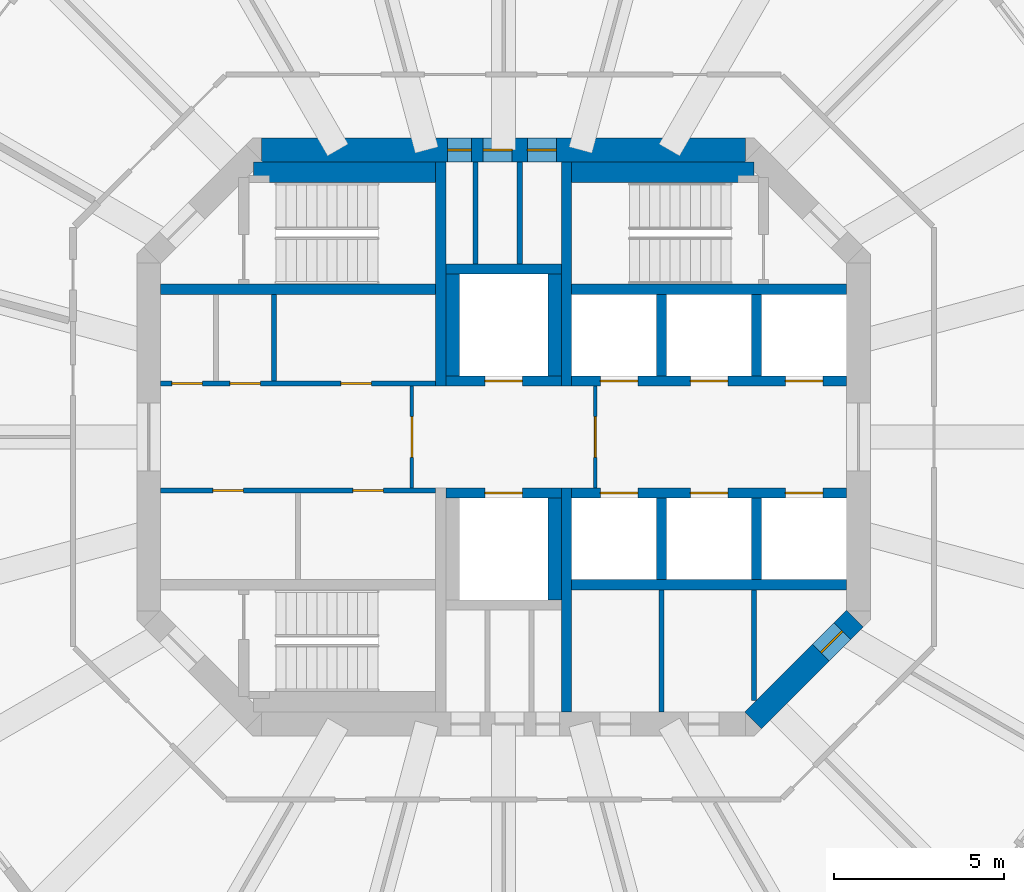
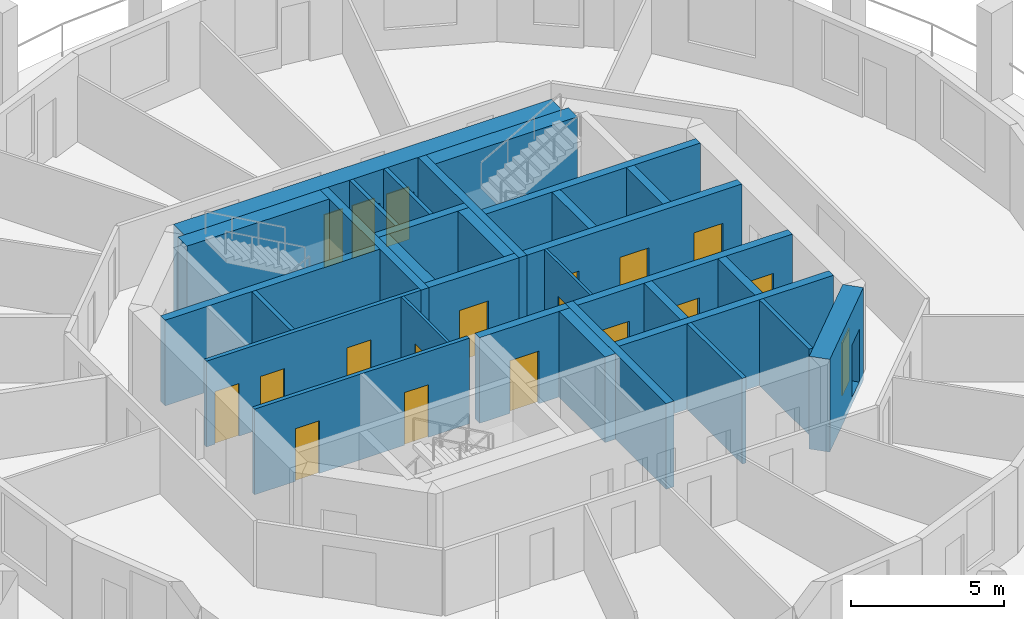
# One storey, part 4 of 8: 31 walls, 19 doors, 19 openings.
"""IFC4 building model written with IfcOpenShell, lengths in metres."""

from ifc_helpers import new_model, si_unit, direction, frame, frame_2d, origin, place, context, subcontext, project, spatial, rectangle, extrude, material, layer, layer_set, type_object, element, fill, save


model = new_model("IFC4")

# Units and contexts
model_context = context("Model", 3, precision=1e-05, world=origin(), true_north=direction((0.0, 1.0)))
body_context = subcontext(model_context, "Body", "Model", "MODEL_VIEW")
ifc_project = project(units=[si_unit("LENGTHUNIT", "METRE"), si_unit("AREAUNIT", "SQUARE_METRE"), si_unit("VOLUMEUNIT", "CUBIC_METRE"), si_unit("PLANEANGLEUNIT", "RADIAN"), si_unit("MASSUNIT", "GRAM", prefix="KILO")], contexts=[model_context])

# Site, building, storey
site_placement = place(None, origin())
site = spatial("IfcSite", under=ifc_project, at=site_placement, CompositionType="ELEMENT")
building_placement = place(site_placement, origin())
building = spatial("IfcBuilding", under=site, at=building_placement, Name="Torre Triforio", CompositionType="ELEMENT")
storey_placement = place(building_placement, frame((0.0, 0.0, 207.60009765625)))
storey = spatial("IfcBuildingStorey", under=building, at=storey_placement, Name="L47", CompositionType="ELEMENT", Elevation=207.60009765625)

# Walls
ifc_material_1 = material(Name="Concrete C50", Category="concrete")
ifc_layer_1 = layer(ifc_material_1, 0.300048828125)
ifc_layer_set_1 = layer_set([ifc_layer_1], Name="Concrete C50")
wall_type_1 = type_object("IfcWallType", Name="Core wall 300 mm C50 EI 120", PredefinedType="SHEAR", material=ifc_layer_set_1)
for number, where, z_axis, x_axis, name in (
    (1, (-1.85009765625, 1.5, 0.0), (0.0, 0.0, 1.0), (0.0, 1.0, 0.0), "Core wall"),
    (2, (1.85009765625, 1.5, 0.0), (0.0, 0.0, 1.0), (0.0, 1.0, 0.0), "Core wall"),
    (3, (1.85009765625, -8.10009765625, 0.0), (0.0, 0.0, 1.0), (0.0, 1.0, 0.0), "Core wall"),
):
    element("IfcWall", number, at=place(storey_placement, frame(where, z_axis=z_axis, x_axis=x_axis)), inside=storey, type_object=wall_type_1, Name=name, PredefinedType="SHEAR", context=body_context, shape_type="SweptSolid", body=[
        extrude(rectangle(XDim=6.60009765625, YDim=0.300048828125, at=frame_2d((3.300048828125, 0.0))), origin(), (0.0, 0.0, 1.0), 3.419921875),
    ])

# Wall, openings, doors
ifc_layer_2 = layer(ifc_material_1, 0.699951171875)
ifc_layer_set_2 = layer_set([ifc_layer_2], Name="Concrete C50")
wall_type_2 = type_object("IfcWallType", Name="Core wall 700 mm C50 EI 120", PredefinedType="SHEAR", material=ifc_layer_set_2)
wall_1_placement = place(storey_placement, frame((-7.1298828125, 8.449951171875, -0.280029296875), z_axis=(0.0, 0.0, 1.0), x_axis=(1.0, 0.0, 0.0)))
wall_1 = element("IfcWall", 4, at=wall_1_placement, inside=storey, type_object=wall_type_2, Name="Core wall", PredefinedType="SHEAR", context=body_context, shape_type="SweptSolid", body=[
    extrude(rectangle(XDim=14.259765625, YDim=0.699951171875, at=frame_2d((7.1298828125, 0.0))), origin(), (0.0, 0.0, 1.0), 3.699951171875),
])
opening_1_placement = place(wall_1_placement, frame((5.47998046875, 0.0, 0.280029296875)))
opening_1 = element("IfcOpeningElement", 5, at=opening_1_placement, cuts=wall_1, Name="Opening RISER-N", PredefinedType="OPENING", context=body_context, shape_type="SweptSolid", body=[
    extrude(rectangle(XDim=0.699951171875, YDim=2.10009765625, at=frame_2d((0.35009765625, 1.050048828125))), frame((0.0, 0.35986328125, 0.0), z_axis=(0.0, -1.0, 0.0), x_axis=(1.0, 0.0, 0.0)), (0.0, 0.0, 1.0), 0.719970703125),
])
opening_2_placement = place(wall_1_placement, frame((6.530029296875, 0.0, 0.280029296875)))
opening_2 = element("IfcOpeningElement", 6, at=opening_2_placement, cuts=wall_1, Name="Opening NE-01A", PredefinedType="OPENING", context=body_context, shape_type="SweptSolid", body=[
    extrude(rectangle(XDim=0.85009765625, YDim=2.10009765625, at=frame_2d((0.425048828125, 1.050048828125))), frame((0.0, 0.35986328125, 0.0), z_axis=(0.0, -1.0, 0.0), x_axis=(1.0, 0.0, 0.0)), (0.0, 0.0, 1.0), 0.719970703125),
])
opening_3_placement = place(wall_1_placement, frame((7.830078125, 0.0, 0.280029296875)))
opening_3 = element("IfcOpeningElement", 7, at=opening_3_placement, cuts=wall_1, Name="Opening NE-02", PredefinedType="OPENING", context=body_context, shape_type="SweptSolid", body=[
    extrude(rectangle(XDim=0.85009765625, YDim=2.10009765625, at=frame_2d((0.425048828125, 1.050048828125))), frame((0.0, 0.35986328125, 0.0), z_axis=(0.0, -1.0, 0.0), x_axis=(1.0, 0.0, 0.0)), (0.0, 0.0, 1.0), 0.719970703125),
])
ifc_material_2 = material(Name="Hollow metal fire door leaf")
door_type_1 = type_object("IfcDoorType", Name="Plant room door 850 x 2100 EI 60", OperationType="NOTDEFINED", PredefinedType="DOOR", material=ifc_material_2)
door_1_placement = place(opening_3_placement, origin())
door_1 = element("IfcDoor", 8, at=door_1_placement, inside=storey, type_object=door_type_1, Name="Core door NE-02", OperationType="SINGLE_SWING_RIGHT", OverallHeight=2.10009765625, OverallWidth=0.85009765625, PredefinedType="DOOR", context=body_context, shape_type="SweptSolid", body=[
    extrude(rectangle(XDim=0.85009765625, YDim=2.10009765625, at=frame_2d((0.425048828125, 1.050048828125))), frame((0.0, 0.02490234375, 0.0), z_axis=(0.0, -1.0, 0.0), x_axis=(1.0, 0.0, 0.0)), (0.0, 0.0, 1.0), 0.050048828125),
])
fill(opening_3, door_1)
door_type_2 = type_object("IfcDoorType", Name="Riser door 700 x 2100 EI 60", OperationType="NOTDEFINED", PredefinedType="DOOR", material=ifc_material_2)
door_2_placement = place(opening_1_placement, origin())
door_2 = element("IfcDoor", 9, at=door_2_placement, inside=storey, type_object=door_type_2, Name="Core door RISER-N", OperationType="SINGLE_SWING_LEFT", OverallHeight=2.10009765625, OverallWidth=0.699951171875, PredefinedType="DOOR", context=body_context, shape_type="SweptSolid", body=[
    extrude(rectangle(XDim=0.699951171875, YDim=2.10009765625, at=frame_2d((0.35009765625, 1.050048828125))), frame((0.0, 0.02490234375, 0.0), z_axis=(0.0, -1.0, 0.0), x_axis=(1.0, 0.0, 0.0)), (0.0, 0.0, 1.0), 0.050048828125),
])
fill(opening_1, door_2)
door_type_3 = type_object("IfcDoorType", Name="Room door 850 x 2100 EI 60", OperationType="NOTDEFINED", PredefinedType="DOOR", material=ifc_material_2)
door_3_placement = place(opening_2_placement, origin())
door_3 = element("IfcDoor", 10, at=door_3_placement, inside=storey, type_object=door_type_3, Name="Core door NE-01", OperationType="SINGLE_SWING_LEFT", OverallHeight=2.10009765625, OverallWidth=0.85009765625, PredefinedType="DOOR", context=body_context, shape_type="SweptSolid", body=[
    extrude(rectangle(XDim=0.85009765625, YDim=2.10009765625, at=frame_2d((0.425048828125, 1.050048828125))), frame((0.0, 0.02490234375, 0.0), z_axis=(0.0, -1.0, 0.0), x_axis=(1.0, 0.0, 0.0)), (0.0, 0.0, 1.0), 0.050048828125),
])
fill(opening_2, door_3)

# Wall, opening, door
wall_2_placement = place(storey_placement, frame((10.347412109375, -5.347412109375, -0.280029296875), z_axis=(0.0, 0.0, 1.0), x_axis=(-0.707106781187, -0.707106781187, 0.0)))
wall_2 = element("IfcWall", 11, at=wall_2_placement, inside=storey, type_object=wall_type_2, Name="Core wall", PredefinedType="SHEAR", context=body_context, shape_type="SweptSolid", body=[
    extrude(rectangle(XDim=4.24267578125, YDim=0.699951171875, at=frame_2d((2.121337890625, 0.0))), origin(), (0.0, 0.0, 1.0), 3.699951171875),
])
opening_4_placement = place(wall_2_placement, frame((0.52001953125, 0.0, 0.280029296875)))
opening_4 = element("IfcOpeningElement", 12, at=opening_4_placement, cuts=wall_2, Name="Opening SE-03", PredefinedType="OPENING", context=body_context, shape_type="SweptSolid", body=[
    extrude(rectangle(XDim=0.89990234375, YDim=2.10009765625, at=frame_2d((0.449951171875, 1.050048828125))), frame((0.0, 0.35986328125, 0.0), z_axis=(0.0, -1.0, 0.0), x_axis=(1.0, 0.0, 0.0)), (0.0, 0.0, 1.0), 0.719970703125),
])
door_type_4 = type_object("IfcDoorType", Name="Room door 900 x 2100 EI 60", OperationType="NOTDEFINED", PredefinedType="DOOR", material=ifc_material_2)
door_4_placement = place(opening_4_placement, origin())
door_4 = element("IfcDoor", 13, at=door_4_placement, inside=storey, type_object=door_type_4, Name="Core door SE-03", OperationType="SINGLE_SWING_RIGHT", OverallHeight=2.10009765625, OverallWidth=0.89990234375, PredefinedType="DOOR", context=body_context, shape_type="SweptSolid", body=[
    extrude(rectangle(XDim=0.89990234375, YDim=2.10009765625, at=frame_2d((0.449951171875, 1.050048828125))), frame((0.0, 0.02490234375, 0.0), z_axis=(0.0, -1.0, 0.0), x_axis=(1.0, 0.0, 0.0)), (0.0, 0.0, 1.0), 0.050048828125),
])
fill(opening_4, door_4)

ifc_material_3 = material(Name="Block and board partition")
ifc_layer_3 = layer(ifc_material_3, 0.10009765625)
ifc_layer_set_3 = layer_set([ifc_layer_3], Name="Block and board partition")
wall_type_3 = type_object("IfcWallType", Name="Partition 100 mm EI 120", PredefinedType="PARTITIONING", material=ifc_layer_set_3)
wall_3_placement = place(storey_placement, frame((-2.699951171875, -1.5, 0.0), z_axis=(0.0, 0.0, 1.0), x_axis=(0.0, 1.0, 0.0)))
wall_3 = element("IfcWall", 14, at=wall_3_placement, inside=storey, type_object=wall_type_3, Name="Partition", PredefinedType="PARTITIONING", context=body_context, shape_type="SweptSolid", body=[
    extrude(rectangle(XDim=3.0, YDim=0.10009765625, at=frame_2d((1.5, 0.0))), origin(), (0.0, 0.0, 1.0), 3.419921875),
])
opening_5_placement = place(wall_3_placement, frame((0.89990234375, 0.0, 0.0)))
opening_5 = element("IfcOpeningElement", 15, at=opening_5_placement, cuts=wall_3, Name="Opening FF-W", PredefinedType="OPENING", context=body_context, shape_type="SweptSolid", body=[
    extrude(rectangle(XDim=1.199951171875, YDim=2.10009765625, at=frame_2d((0.60009765625, 1.050048828125))), frame((0.0, 0.06005859375, 0.0), z_axis=(0.0, -1.0, 0.0), x_axis=(1.0, 0.0, 0.0)), (0.0, 0.0, 1.0), 0.1201171875),
])
door_type_5 = type_object("IfcDoorType", Name="Fire-fighting lobby door 1200 x 2100 EI 60", OperationType="NOTDEFINED", PredefinedType="DOOR", material=ifc_material_2)
door_5_placement = place(opening_5_placement, origin())
door_5 = element("IfcDoor", 16, at=door_5_placement, inside=storey, type_object=door_type_5, Name="Core door FF-W", OperationType="SINGLE_SWING_RIGHT", OverallHeight=2.10009765625, OverallWidth=1.199951171875, PredefinedType="DOOR", context=body_context, shape_type="SweptSolid", body=[
    extrude(rectangle(XDim=1.199951171875, YDim=2.10009765625, at=frame_2d((0.60009765625, 1.050048828125))), frame((0.0, 0.02490234375, 0.0), z_axis=(0.0, -1.0, 0.0), x_axis=(1.0, 0.0, 0.0)), (0.0, 0.0, 1.0), 0.050048828125),
])
fill(opening_5, door_5)

wall_4_placement = place(storey_placement, frame((2.699951171875, -1.5, 0.0), z_axis=(0.0, 0.0, 1.0), x_axis=(0.0, 1.0, 0.0)))
wall_4 = element("IfcWall", 17, at=wall_4_placement, inside=storey, type_object=wall_type_3, Name="Partition", PredefinedType="PARTITIONING", context=body_context, shape_type="SweptSolid", body=[
    extrude(rectangle(XDim=3.0, YDim=0.10009765625, at=frame_2d((1.5, 0.0))), origin(), (0.0, 0.0, 1.0), 3.419921875),
])
opening_6_placement = place(wall_4_placement, frame((0.89990234375, 0.0, 0.0)))
opening_6 = element("IfcOpeningElement", 18, at=opening_6_placement, cuts=wall_4, Name="Opening FF-E", PredefinedType="OPENING", context=body_context, shape_type="SweptSolid", body=[
    extrude(rectangle(XDim=1.199951171875, YDim=2.10009765625, at=frame_2d((0.60009765625, 1.050048828125))), frame((0.0, 0.06005859375, 0.0), z_axis=(0.0, -1.0, 0.0), x_axis=(1.0, 0.0, 0.0)), (0.0, 0.0, 1.0), 0.1201171875),
])
door_6_placement = place(opening_6_placement, origin())
door_6 = element("IfcDoor", 19, at=door_6_placement, inside=storey, type_object=door_type_5, Name="Core door FF-E", OperationType="SINGLE_SWING_RIGHT", OverallHeight=2.10009765625, OverallWidth=1.199951171875, PredefinedType="DOOR", context=body_context, shape_type="SweptSolid", body=[
    extrude(rectangle(XDim=1.199951171875, YDim=2.10009765625, at=frame_2d((0.60009765625, 1.050048828125))), frame((0.0, 0.02490234375, 0.0), z_axis=(0.0, -1.0, 0.0), x_axis=(1.0, 0.0, 0.0)), (0.0, 0.0, 1.0), 0.050048828125),
])
fill(opening_6, door_6)

# Walls
ifc_layer_4 = layer(ifc_material_3, 0.14990234375)
ifc_layer_set_4 = layer_set([ifc_layer_4], Name="Block and board partition")
wall_type_4 = type_object("IfcWallType", Name="Partition 150 mm", PredefinedType="PARTITIONING", material=ifc_layer_set_4)
wall_5_placement = place(storey_placement, frame((0.47509765625, 5.10009765625, 0.0), z_axis=(0.0, 0.0, 1.0), x_axis=(0.0, 1.0, 0.0)))
element("IfcWall", 20, at=wall_5_placement, inside=storey, type_object=wall_type_4, Name="Partition", PredefinedType="PARTITIONING", context=body_context, shape_type="SweptSolid", body=[
    extrude(rectangle(XDim=3.0, YDim=0.14990234375, at=frame_2d((1.5, 0.0))), origin(), (0.0, 0.0, 1.0), 3.419921875),
])
wall_6_placement = place(storey_placement, frame((4.64892578125, -8.10009765625, 0.0), z_axis=(0.0, 0.0, 1.0), x_axis=(0.0, 1.0, 0.0)))
element("IfcWall", 21, at=wall_6_placement, inside=storey, type_object=wall_type_4, Name="Partition", PredefinedType="PARTITIONING", context=body_context, shape_type="SweptSolid", body=[
    extrude(rectangle(XDim=3.60009765625, YDim=0.14990234375, at=frame_2d((1.800048828125, 0.0))), origin(), (0.0, 0.0, 1.0), 3.419921875),
])
wall_7_placement = place(storey_placement, frame((7.373046875, -7.751953125, 0.0), z_axis=(0.0, 0.0, 1.0), x_axis=(0.0, 1.0, 0.0)))
element("IfcWall", 22, at=wall_7_placement, inside=storey, type_object=wall_type_4, Name="Partition", PredefinedType="PARTITIONING", context=body_context, shape_type="SweptSolid", body=[
    extrude(rectangle(XDim=3.251953125, YDim=0.14990234375, at=frame_2d((1.6259765625, 0.0))), origin(), (0.0, 0.0, 1.0), 3.419921875),
])
wall_8_placement = place(storey_placement, frame((-6.7548828125, 1.64990234375, 0.0), z_axis=(0.0, 0.0, 1.0), x_axis=(0.0, 1.0, 0.0)))
element("IfcWall", 23, at=wall_8_placement, inside=storey, type_object=wall_type_4, Name="Partition", PredefinedType="PARTITIONING", context=body_context, shape_type="SweptSolid", body=[
    extrude(rectangle(XDim=2.550048828125, YDim=0.14990234375, at=frame_2d((1.27490234375, 0.0))), origin(), (0.0, 0.0, 1.0), 3.419921875),
])
ifc_layer_5 = layer(ifc_material_3, 0.14990234375)
ifc_layer_set_5 = layer_set([ifc_layer_5], Name="Block and board partition")
wall_type_5 = type_object("IfcWallType", Name="Partition 150 mm EI 120", PredefinedType="PARTITIONING", material=ifc_layer_set_5)
wall_9_placement = place(storey_placement, frame((-0.824951171875, 5.10009765625, 0.0), z_axis=(0.0, 0.0, 1.0), x_axis=(0.0, 1.0, 0.0)))
element("IfcWall", 24, at=wall_9_placement, inside=storey, type_object=wall_type_5, Name="Partition", PredefinedType="PARTITIONING", context=body_context, shape_type="SweptSolid", body=[
    extrude(rectangle(XDim=3.0, YDim=0.14990234375, at=frame_2d((1.5, 0.0))), origin(), (0.0, 0.0, 1.0), 3.419921875),
])

# Wall, openings, doors
wall_10_placement = place(storey_placement, frame((-10.10009765625, 1.574951171875, 0.0), z_axis=(0.0, 0.0, 1.0), x_axis=(1.0, 0.0, 0.0)))
wall_10 = element("IfcWall", 25, at=wall_10_placement, inside=storey, type_object=wall_type_5, Name="Partition", PredefinedType="PARTITIONING", context=body_context, shape_type="SweptSolid", body=[
    extrude(rectangle(XDim=8.10009765625, YDim=0.14990234375, at=frame_2d((4.050048828125, 0.0))), origin(), (0.0, 0.0, 1.0), 3.419921875),
])
opening_7_placement = place(wall_10_placement, frame((0.330078125, 0.0, 0.0)))
opening_7 = element("IfcOpeningElement", 26, at=opening_7_placement, cuts=wall_10, Name="Opening FN-01", PredefinedType="OPENING", context=body_context, shape_type="SweptSolid", body=[
    extrude(rectangle(XDim=0.89990234375, YDim=2.10009765625, at=frame_2d((0.449951171875, 1.050048828125))), frame((0.0, 0.0849609375, 0.0), z_axis=(0.0, -1.0, 0.0), x_axis=(1.0, 0.0, 0.0)), (0.0, 0.0, 1.0), 0.169921875),
])
opening_8_placement = place(wall_10_placement, frame((2.0400390625, 0.0, 0.0)))
opening_8 = element("IfcOpeningElement", 27, at=opening_8_placement, cuts=wall_10, Name="Opening FN-02", PredefinedType="OPENING", context=body_context, shape_type="SweptSolid", body=[
    extrude(rectangle(XDim=0.89990234375, YDim=2.10009765625, at=frame_2d((0.449951171875, 1.050048828125))), frame((0.0, 0.0849609375, 0.0), z_axis=(0.0, -1.0, 0.0), x_axis=(1.0, 0.0, 0.0)), (0.0, 0.0, 1.0), 0.169921875),
])
opening_9_placement = place(wall_10_placement, frame((5.31005859375, 0.0, 0.0)))
opening_9 = element("IfcOpeningElement", 28, at=opening_9_placement, cuts=wall_10, Name="Opening FN-03", PredefinedType="OPENING", context=body_context, shape_type="SweptSolid", body=[
    extrude(rectangle(XDim=0.89990234375, YDim=2.10009765625, at=frame_2d((0.449951171875, 1.050048828125))), frame((0.0, 0.0849609375, 0.0), z_axis=(0.0, -1.0, 0.0), x_axis=(1.0, 0.0, 0.0)), (0.0, 0.0, 1.0), 0.169921875),
])
door_7_placement = place(opening_7_placement, origin())
door_7 = element("IfcDoor", 29, at=door_7_placement, inside=storey, type_object=door_type_4, Name="Core door FN-01", OperationType="SINGLE_SWING_RIGHT", OverallHeight=2.10009765625, OverallWidth=0.89990234375, PredefinedType="DOOR", context=body_context, shape_type="SweptSolid", body=[
    extrude(rectangle(XDim=0.89990234375, YDim=2.10009765625, at=frame_2d((0.449951171875, 1.050048828125))), frame((0.0, 0.02490234375, 0.0), z_axis=(0.0, -1.0, 0.0), x_axis=(1.0, 0.0, 0.0)), (0.0, 0.0, 1.0), 0.050048828125),
])
fill(opening_7, door_7)
door_8_placement = place(opening_8_placement, origin())
door_8 = element("IfcDoor", 30, at=door_8_placement, inside=storey, type_object=door_type_4, Name="Core door FN-02", OperationType="SINGLE_SWING_RIGHT", OverallHeight=2.10009765625, OverallWidth=0.89990234375, PredefinedType="DOOR", context=body_context, shape_type="SweptSolid", body=[
    extrude(rectangle(XDim=0.89990234375, YDim=2.10009765625, at=frame_2d((0.449951171875, 1.050048828125))), frame((0.0, 0.02490234375, 0.0), z_axis=(0.0, -1.0, 0.0), x_axis=(1.0, 0.0, 0.0)), (0.0, 0.0, 1.0), 0.050048828125),
])
fill(opening_8, door_8)
door_9_placement = place(opening_9_placement, origin())
door_9 = element("IfcDoor", 31, at=door_9_placement, inside=storey, type_object=door_type_4, Name="Core door FN-03", OperationType="SINGLE_SWING_RIGHT", OverallHeight=2.10009765625, OverallWidth=0.89990234375, PredefinedType="DOOR", context=body_context, shape_type="SweptSolid", body=[
    extrude(rectangle(XDim=0.89990234375, YDim=2.10009765625, at=frame_2d((0.449951171875, 1.050048828125))), frame((0.0, 0.02490234375, 0.0), z_axis=(0.0, -1.0, 0.0), x_axis=(1.0, 0.0, 0.0)), (0.0, 0.0, 1.0), 0.050048828125),
])
fill(opening_9, door_9)

wall_11_placement = place(storey_placement, frame((-10.10009765625, -1.574951171875, 0.0), z_axis=(0.0, 0.0, 1.0), x_axis=(1.0, 0.0, 0.0)))
wall_11 = element("IfcWall", 32, at=wall_11_placement, inside=storey, type_object=wall_type_5, Name="Partition", PredefinedType="PARTITIONING", context=body_context, shape_type="SweptSolid", body=[
    extrude(rectangle(XDim=8.10009765625, YDim=0.14990234375, at=frame_2d((4.050048828125, 0.0))), origin(), (0.0, 0.0, 1.0), 3.419921875),
])
opening_10_placement = place(wall_11_placement, frame((1.53759765625, 0.0, 0.0)))
opening_10 = element("IfcOpeningElement", 33, at=opening_10_placement, cuts=wall_11, Name="Opening FS-01", PredefinedType="OPENING", context=body_context, shape_type="SweptSolid", body=[
    extrude(rectangle(XDim=0.89990234375, YDim=2.10009765625, at=frame_2d((0.449951171875, 1.050048828125))), frame((0.0, 0.0849609375, 0.0), z_axis=(0.0, -1.0, 0.0), x_axis=(1.0, 0.0, 0.0)), (0.0, 0.0, 1.0), 0.169921875),
])
opening_11_placement = place(wall_11_placement, frame((5.66259765625, 0.0, 0.0)))
opening_11 = element("IfcOpeningElement", 34, at=opening_11_placement, cuts=wall_11, Name="Opening FS-02", PredefinedType="OPENING", context=body_context, shape_type="SweptSolid", body=[
    extrude(rectangle(XDim=0.89990234375, YDim=2.10009765625, at=frame_2d((0.449951171875, 1.050048828125))), frame((0.0, 0.0849609375, 0.0), z_axis=(0.0, -1.0, 0.0), x_axis=(1.0, 0.0, 0.0)), (0.0, 0.0, 1.0), 0.169921875),
])
door_10_placement = place(opening_10_placement, origin())
door_10 = element("IfcDoor", 35, at=door_10_placement, inside=storey, type_object=door_type_4, Name="Core door FS-01", OperationType="SINGLE_SWING_LEFT", OverallHeight=2.10009765625, OverallWidth=0.89990234375, PredefinedType="DOOR", context=body_context, shape_type="SweptSolid", body=[
    extrude(rectangle(XDim=0.89990234375, YDim=2.10009765625, at=frame_2d((0.449951171875, 1.050048828125))), frame((0.0, 0.02490234375, 0.0), z_axis=(0.0, -1.0, 0.0), x_axis=(1.0, 0.0, 0.0)), (0.0, 0.0, 1.0), 0.050048828125),
])
fill(opening_10, door_10)
door_11_placement = place(opening_11_placement, origin())
door_11 = element("IfcDoor", 36, at=door_11_placement, inside=storey, type_object=door_type_4, Name="Core door FS-02", OperationType="SINGLE_SWING_LEFT", OverallHeight=2.10009765625, OverallWidth=0.89990234375, PredefinedType="DOOR", context=body_context, shape_type="SweptSolid", body=[
    extrude(rectangle(XDim=0.89990234375, YDim=2.10009765625, at=frame_2d((0.449951171875, 1.050048828125))), frame((0.0, 0.02490234375, 0.0), z_axis=(0.0, -1.0, 0.0), x_axis=(1.0, 0.0, 0.0)), (0.0, 0.0, 1.0), 0.050048828125),
])
fill(opening_11, door_11)

# Walls
ifc_layer_6 = layer(ifc_material_1, 0.300048828125)
ifc_layer_set_6 = layer_set([ifc_layer_6], Name="Concrete C50")
wall_type_6 = type_object("IfcWallType", Name="Shaft wall 300 mm C50 EI 120", PredefinedType="SOLIDWALL", material=ifc_layer_set_6)
for number, where, z_axis, x_axis, name in (
    (37, (-10.10009765625, 4.35009765625, 0.0), (0.0, 0.0, 1.0), (1.0, 0.0, 0.0), "Shaft wall"),
    (38, (2.0, 4.35009765625, 0.0), (0.0, 0.0, 1.0), (1.0, 0.0, 0.0), "Shaft wall"),
    (39, (2.0, -4.35009765625, 0.0), (0.0, 0.0, 1.0), (1.0, 0.0, 0.0), "Shaft wall"),
):
    element("IfcWall", number, at=place(storey_placement, frame(where, z_axis=z_axis, x_axis=x_axis)), inside=storey, type_object=wall_type_6, Name=name, PredefinedType="SOLIDWALL", context=body_context, shape_type="SweptSolid", body=[
        extrude(rectangle(XDim=8.10009765625, YDim=0.300048828125, at=frame_2d((4.050048828125, 0.0))), origin(), (0.0, 0.0, 1.0), 3.419921875),
    ])

# Wall, openings, doors
wall_12_placement = place(storey_placement, frame((2.0, 1.64990234375, 0.0), z_axis=(0.0, 0.0, 1.0), x_axis=(1.0, 0.0, 0.0)))
wall_12 = element("IfcWall", 40, at=wall_12_placement, inside=storey, type_object=wall_type_6, Name="Shaft wall", PredefinedType="SOLIDWALL", context=body_context, shape_type="SweptSolid", body=[
    extrude(rectangle(XDim=8.10009765625, YDim=0.300048828125, at=frame_2d((4.050048828125, 0.0))), origin(), (0.0, 0.0, 1.0), 3.419921875),
])
opening_12_placement = place(wall_12_placement, frame((0.85009765625, 0.0, 0.0)))
opening_12 = element("IfcOpeningElement", 41, at=opening_12_placement, cuts=wall_12, Name="Opening LD", PredefinedType="OPENING", context=body_context, shape_type="SweptSolid", body=[
    extrude(rectangle(XDim=1.10009765625, YDim=2.10009765625, at=frame_2d((0.550048828125, 1.050048828125))), frame((0.0, 0.159912109375, 0.0), z_axis=(0.0, -1.0, 0.0), x_axis=(1.0, 0.0, 0.0)), (0.0, 0.0, 1.0), 0.320068359375),
])
opening_13_placement = place(wall_12_placement, frame((3.5, 0.0, 0.0)))
opening_13 = element("IfcOpeningElement", 42, at=opening_13_placement, cuts=wall_12, Name="Opening LD", PredefinedType="OPENING", context=body_context, shape_type="SweptSolid", body=[
    extrude(rectangle(XDim=1.10009765625, YDim=2.10009765625, at=frame_2d((0.550048828125, 1.050048828125))), frame((0.0, 0.159912109375, 0.0), z_axis=(0.0, -1.0, 0.0), x_axis=(1.0, 0.0, 0.0)), (0.0, 0.0, 1.0), 0.320068359375),
])
opening_14_placement = place(wall_12_placement, frame((6.300048828125, 0.0, 0.0)))
opening_14 = element("IfcOpeningElement", 43, at=opening_14_placement, cuts=wall_12, Name="Opening LD", PredefinedType="OPENING", context=body_context, shape_type="SweptSolid", body=[
    extrude(rectangle(XDim=1.10009765625, YDim=2.10009765625, at=frame_2d((0.550048828125, 1.050048828125))), frame((0.0, 0.159912109375, 0.0), z_axis=(0.0, -1.0, 0.0), x_axis=(1.0, 0.0, 0.0)), (0.0, 0.0, 1.0), 0.320068359375),
])
door_type_6 = type_object("IfcDoorType", Name="Landing door 1100 x 2100 EI 60", OperationType="DOUBLE_DOOR_SLIDING", PredefinedType="DOOR", material=ifc_material_2)
door_12_placement = place(opening_12_placement, origin())
door_12 = element("IfcDoor", 44, at=door_12_placement, inside=storey, type_object=door_type_6, Name="Landing door HR1", OperationType="DOUBLE_DOOR_SLIDING", OverallHeight=2.10009765625, OverallWidth=1.10009765625, PredefinedType="DOOR", context=body_context, shape_type="SweptSolid", body=[
    extrude(rectangle(XDim=1.10009765625, YDim=2.10009765625, at=frame_2d((0.550048828125, 1.050048828125))), frame((0.0, 0.02490234375, 0.0), z_axis=(0.0, -1.0, 0.0), x_axis=(1.0, 0.0, 0.0)), (0.0, 0.0, 1.0), 0.050048828125),
])
fill(opening_12, door_12)
door_13_placement = place(opening_13_placement, origin())
door_13 = element("IfcDoor", 45, at=door_13_placement, inside=storey, type_object=door_type_6, Name="Landing door HR2", OperationType="DOUBLE_DOOR_SLIDING", OverallHeight=2.10009765625, OverallWidth=1.10009765625, PredefinedType="DOOR", context=body_context, shape_type="SweptSolid", body=[
    extrude(rectangle(XDim=1.10009765625, YDim=2.10009765625, at=frame_2d((0.550048828125, 1.050048828125))), frame((0.0, 0.02490234375, 0.0), z_axis=(0.0, -1.0, 0.0), x_axis=(1.0, 0.0, 0.0)), (0.0, 0.0, 1.0), 0.050048828125),
])
fill(opening_13, door_13)
door_14_placement = place(opening_14_placement, origin())
door_14 = element("IfcDoor", 46, at=door_14_placement, inside=storey, type_object=door_type_6, Name="Landing door HR3", OperationType="DOUBLE_DOOR_SLIDING", OverallHeight=2.10009765625, OverallWidth=1.10009765625, PredefinedType="DOOR", context=body_context, shape_type="SweptSolid", body=[
    extrude(rectangle(XDim=1.10009765625, YDim=2.10009765625, at=frame_2d((0.550048828125, 1.050048828125))), frame((0.0, 0.02490234375, 0.0), z_axis=(0.0, -1.0, 0.0), x_axis=(1.0, 0.0, 0.0)), (0.0, 0.0, 1.0), 0.050048828125),
])
fill(opening_14, door_14)

wall_13_placement = place(storey_placement, frame((2.0, -1.64990234375, 0.0), z_axis=(0.0, 0.0, 1.0), x_axis=(1.0, 0.0, 0.0)))
wall_13 = element("IfcWall", 47, at=wall_13_placement, inside=storey, type_object=wall_type_6, Name="Shaft wall", PredefinedType="SOLIDWALL", context=body_context, shape_type="SweptSolid", body=[
    extrude(rectangle(XDim=8.10009765625, YDim=0.300048828125, at=frame_2d((4.050048828125, 0.0))), origin(), (0.0, 0.0, 1.0), 3.419921875),
])
opening_15_placement = place(wall_13_placement, frame((0.85009765625, 0.0, 0.0)))
opening_15 = element("IfcOpeningElement", 48, at=opening_15_placement, cuts=wall_13, Name="Opening LD", PredefinedType="OPENING", context=body_context, shape_type="SweptSolid", body=[
    extrude(rectangle(XDim=1.10009765625, YDim=2.10009765625, at=frame_2d((0.550048828125, 1.050048828125))), frame((0.0, 0.159912109375, 0.0), z_axis=(0.0, -1.0, 0.0), x_axis=(1.0, 0.0, 0.0)), (0.0, 0.0, 1.0), 0.320068359375),
])
opening_16_placement = place(wall_13_placement, frame((3.5, 0.0, 0.0)))
opening_16 = element("IfcOpeningElement", 49, at=opening_16_placement, cuts=wall_13, Name="Opening LD", PredefinedType="OPENING", context=body_context, shape_type="SweptSolid", body=[
    extrude(rectangle(XDim=1.10009765625, YDim=2.10009765625, at=frame_2d((0.550048828125, 1.050048828125))), frame((0.0, 0.159912109375, 0.0), z_axis=(0.0, -1.0, 0.0), x_axis=(1.0, 0.0, 0.0)), (0.0, 0.0, 1.0), 0.320068359375),
])
opening_17_placement = place(wall_13_placement, frame((6.300048828125, 0.0, 0.0)))
opening_17 = element("IfcOpeningElement", 50, at=opening_17_placement, cuts=wall_13, Name="Opening LD", PredefinedType="OPENING", context=body_context, shape_type="SweptSolid", body=[
    extrude(rectangle(XDim=1.10009765625, YDim=2.10009765625, at=frame_2d((0.550048828125, 1.050048828125))), frame((0.0, 0.159912109375, 0.0), z_axis=(0.0, -1.0, 0.0), x_axis=(1.0, 0.0, 0.0)), (0.0, 0.0, 1.0), 0.320068359375),
])
door_15_placement = place(opening_15_placement, origin())
door_15 = element("IfcDoor", 51, at=door_15_placement, inside=storey, type_object=door_type_6, Name="Landing door HR4", OperationType="DOUBLE_DOOR_SLIDING", OverallHeight=2.10009765625, OverallWidth=1.10009765625, PredefinedType="DOOR", context=body_context, shape_type="SweptSolid", body=[
    extrude(rectangle(XDim=1.10009765625, YDim=2.10009765625, at=frame_2d((0.550048828125, 1.050048828125))), frame((0.0, 0.02490234375, 0.0), z_axis=(0.0, -1.0, 0.0), x_axis=(1.0, 0.0, 0.0)), (0.0, 0.0, 1.0), 0.050048828125),
])
fill(opening_15, door_15)
door_16_placement = place(opening_16_placement, origin())
door_16 = element("IfcDoor", 52, at=door_16_placement, inside=storey, type_object=door_type_6, Name="Landing door HR5", OperationType="DOUBLE_DOOR_SLIDING", OverallHeight=2.10009765625, OverallWidth=1.10009765625, PredefinedType="DOOR", context=body_context, shape_type="SweptSolid", body=[
    extrude(rectangle(XDim=1.10009765625, YDim=2.10009765625, at=frame_2d((0.550048828125, 1.050048828125))), frame((0.0, 0.02490234375, 0.0), z_axis=(0.0, -1.0, 0.0), x_axis=(1.0, 0.0, 0.0)), (0.0, 0.0, 1.0), 0.050048828125),
])
fill(opening_16, door_16)
door_17_placement = place(opening_17_placement, origin())
door_17 = element("IfcDoor", 53, at=door_17_placement, inside=storey, type_object=door_type_6, Name="Landing door HR6", OperationType="DOUBLE_DOOR_SLIDING", OverallHeight=2.10009765625, OverallWidth=1.10009765625, PredefinedType="DOOR", context=body_context, shape_type="SweptSolid", body=[
    extrude(rectangle(XDim=1.10009765625, YDim=2.10009765625, at=frame_2d((0.550048828125, 1.050048828125))), frame((0.0, 0.02490234375, 0.0), z_axis=(0.0, -1.0, 0.0), x_axis=(1.0, 0.0, 0.0)), (0.0, 0.0, 1.0), 0.050048828125),
])
fill(opening_17, door_17)

# Walls
for number, where, z_axis, x_axis, name in (
    (54, (4.64990234375, 1.800048828125, 0.0), (0.0, 0.0, 1.0), (0.0, 1.0, 0.0), "Shaft wall"),
    (55, (4.64990234375, -4.199951171875, 0.0), (0.0, 0.0, 1.0), (0.0, 1.0, 0.0), "Shaft wall"),
    (56, (7.449951171875, 1.800048828125, 0.0), (0.0, 0.0, 1.0), (0.0, 1.0, 0.0), "Shaft wall"),
    (57, (7.449951171875, -4.199951171875, 0.0), (0.0, 0.0, 1.0), (0.0, 1.0, 0.0), "Shaft wall"),
):
    element("IfcWall", number, at=place(storey_placement, frame(where, z_axis=z_axis, x_axis=x_axis)), inside=storey, type_object=wall_type_6, Name=name, PredefinedType="SOLIDWALL", context=body_context, shape_type="SweptSolid", body=[
        extrude(rectangle(XDim=2.39990234375, YDim=0.300048828125, at=frame_2d((1.199951171875, 0.0))), origin(), (0.0, 0.0, 1.0), 3.419921875),
    ])

# Wall, opening, door
wall_14_placement = place(storey_placement, frame((-1.699951171875, 1.64990234375, 0.0), z_axis=(0.0, 0.0, 1.0), x_axis=(1.0, 0.0, 0.0)))
wall_14 = element("IfcWall", 58, at=wall_14_placement, inside=storey, type_object=wall_type_6, Name="Shaft wall", PredefinedType="SOLIDWALL", context=body_context, shape_type="SweptSolid", body=[
    extrude(rectangle(XDim=3.39990234375, YDim=0.300048828125, at=frame_2d((1.699951171875, 0.0))), origin(), (0.0, 0.0, 1.0), 3.419921875),
])
opening_18_placement = place(wall_14_placement, frame((1.14990234375, 0.0, 0.0)))
opening_18 = element("IfcOpeningElement", 59, at=opening_18_placement, cuts=wall_14, Name="Opening LD", PredefinedType="OPENING", context=body_context, shape_type="SweptSolid", body=[
    extrude(rectangle(XDim=1.10009765625, YDim=2.10009765625, at=frame_2d((0.550048828125, 1.050048828125))), frame((0.0, 0.159912109375, 0.0), z_axis=(0.0, -1.0, 0.0), x_axis=(1.0, 0.0, 0.0)), (0.0, 0.0, 1.0), 0.320068359375),
])
door_18_placement = place(opening_18_placement, origin())
door_18 = element("IfcDoor", 60, at=door_18_placement, inside=storey, type_object=door_type_6, Name="Landing door FFL1", OperationType="DOUBLE_DOOR_SLIDING", OverallHeight=2.10009765625, OverallWidth=1.10009765625, PredefinedType="DOOR", context=body_context, shape_type="SweptSolid", body=[
    extrude(rectangle(XDim=1.10009765625, YDim=2.10009765625, at=frame_2d((0.550048828125, 1.050048828125))), frame((0.0, 0.02490234375, 0.0), z_axis=(0.0, -1.0, 0.0), x_axis=(1.0, 0.0, 0.0)), (0.0, 0.0, 1.0), 0.050048828125),
])
fill(opening_18, door_18)

wall_15_placement = place(storey_placement, frame((-1.699951171875, -1.64990234375, 0.0), z_axis=(0.0, 0.0, 1.0), x_axis=(1.0, 0.0, 0.0)))
wall_15 = element("IfcWall", 61, at=wall_15_placement, inside=storey, type_object=wall_type_6, Name="Shaft wall", PredefinedType="SOLIDWALL", context=body_context, shape_type="SweptSolid", body=[
    extrude(rectangle(XDim=3.39990234375, YDim=0.300048828125, at=frame_2d((1.699951171875, 0.0))), origin(), (0.0, 0.0, 1.0), 3.419921875),
])
opening_19_placement = place(wall_15_placement, frame((1.14990234375, 0.0, 0.0)))
opening_19 = element("IfcOpeningElement", 62, at=opening_19_placement, cuts=wall_15, Name="Opening LD", PredefinedType="OPENING", context=body_context, shape_type="SweptSolid", body=[
    extrude(rectangle(XDim=1.10009765625, YDim=2.10009765625, at=frame_2d((0.550048828125, 1.050048828125))), frame((0.0, 0.159912109375, 0.0), z_axis=(0.0, -1.0, 0.0), x_axis=(1.0, 0.0, 0.0)), (0.0, 0.0, 1.0), 0.320068359375),
])
door_19_placement = place(opening_19_placement, origin())
door_19 = element("IfcDoor", 63, at=door_19_placement, inside=storey, type_object=door_type_6, Name="Landing door FFL2", OperationType="DOUBLE_DOOR_SLIDING", OverallHeight=2.10009765625, OverallWidth=1.10009765625, PredefinedType="DOOR", context=body_context, shape_type="SweptSolid", body=[
    extrude(rectangle(XDim=1.10009765625, YDim=2.10009765625, at=frame_2d((0.550048828125, 1.050048828125))), frame((0.0, 0.02490234375, 0.0), z_axis=(0.0, -1.0, 0.0), x_axis=(1.0, 0.0, 0.0)), (0.0, 0.0, 1.0), 0.050048828125),
])
fill(opening_19, door_19)

# Walls
wall_16_placement = place(storey_placement, frame((-1.699951171875, 4.949951171875, 0.0), z_axis=(0.0, 0.0, 1.0), x_axis=(1.0, 0.0, 0.0)))
element("IfcWall", 64, at=wall_16_placement, inside=storey, type_object=wall_type_6, Name="Shaft wall", PredefinedType="SOLIDWALL", context=body_context, shape_type="SweptSolid", body=[
    extrude(rectangle(XDim=3.39990234375, YDim=0.300048828125, at=frame_2d((1.699951171875, 0.0))), origin(), (0.0, 0.0, 1.0), 3.419921875),
])
ifc_layer_7 = layer(ifc_material_1, 0.39990234375)
ifc_layer_set_7 = layer_set([ifc_layer_7], Name="Concrete C50")
wall_type_7 = type_object("IfcWallType", Name="Shaft wall 400 mm C50 EI 120", PredefinedType="SOLIDWALL", material=ifc_layer_set_7)
for number, where, z_axis, x_axis, name in (
    (65, (-1.5, 1.800048828125, 0.0), (0.0, 0.0, 1.0), (0.0, 1.0, 0.0), "Shaft wall"),
    (66, (1.5, 1.800048828125, 0.0), (0.0, 0.0, 1.0), (0.0, 1.0, 0.0), "Shaft wall"),
    (67, (1.5, -4.800048828125, 0.0), (0.0, 0.0, 1.0), (0.0, 1.0, 0.0), "Shaft wall"),
):
    element("IfcWall", number, at=place(storey_placement, frame(where, z_axis=z_axis, x_axis=x_axis)), inside=storey, type_object=wall_type_7, Name=name, PredefinedType="SOLIDWALL", context=body_context, shape_type="SweptSolid", body=[
        extrude(rectangle(XDim=3.0, YDim=0.39990234375, at=frame_2d((1.5, 0.0))), origin(), (0.0, 0.0, 1.0), 3.419921875),
    ])
ifc_layer_8 = layer(ifc_material_1, 0.60009765625)
ifc_layer_set_8 = layer_set([ifc_layer_8], Name="Concrete C50")
wall_type_8 = type_object("IfcWallType", Name="Stair wall 600 mm C50 EI 120", PredefinedType="SHEAR", material=ifc_layer_set_8)
for number, where, z_axis, x_axis, name in (
    (68, (-7.3701171875, 7.800048828125, 0.0), (0.0, 0.0, 1.0), (1.0, 0.0, 0.0), "Stair wall"),
    (69, (2.0, 7.800048828125, 0.0), (0.0, 0.0, 1.0), (1.0, 0.0, 0.0), "Stair wall"),
):
    element("IfcWall", number, at=place(storey_placement, frame(where, z_axis=z_axis, x_axis=x_axis)), inside=storey, type_object=wall_type_8, Name=name, PredefinedType="SHEAR", context=body_context, shape_type="SweptSolid", body=[
        extrude(rectangle(XDim=5.3701171875, YDim=0.60009765625, at=frame_2d((2.68505859375, 0.0))), origin(), (0.0, 0.0, 1.0), 3.419921875),
    ])

save(model, "model.ifc")
